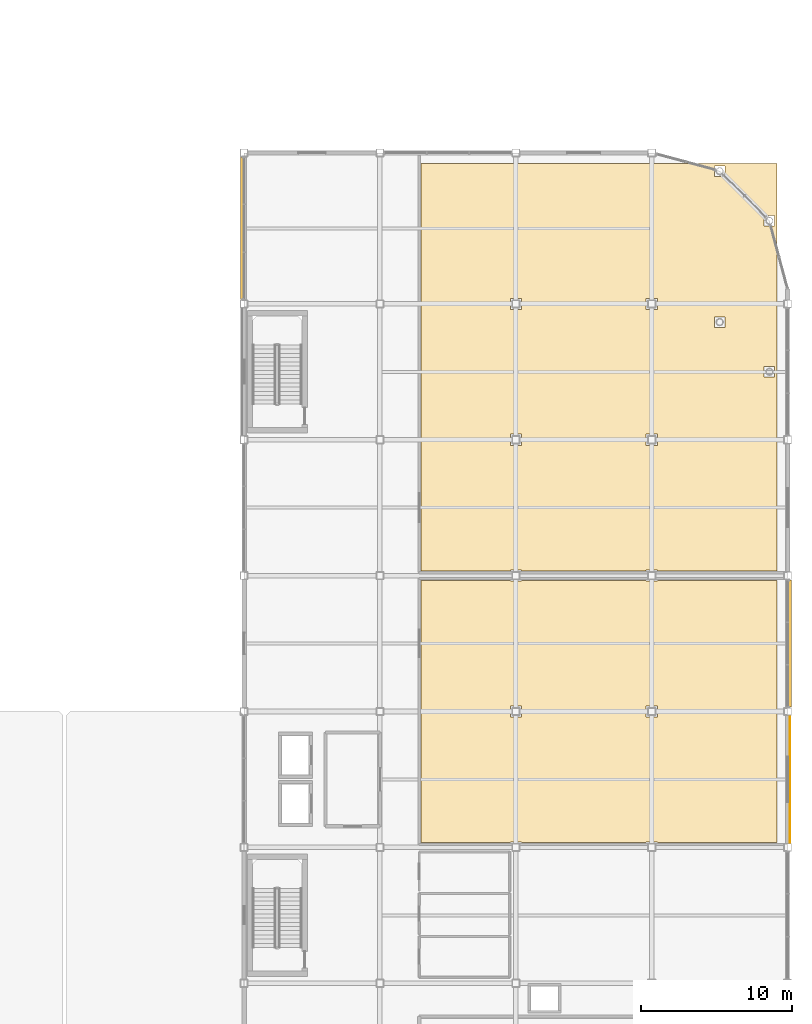
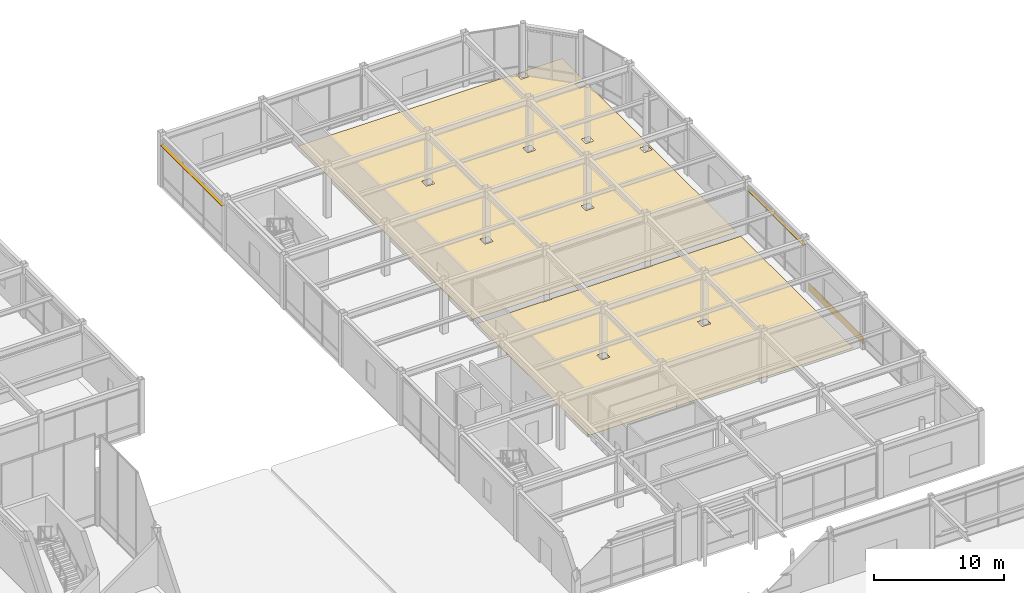
# One storey, part 122 of 123: 3 coverings, 2 shading devices.
"""IFC4 building model written with IfcOpenShell, lengths in metres."""

from ifc_helpers import new_model, si_unit, direction, frame, origin, origin_2d, place, context, subcontext, project, spatial, polyline, rectangle, outline, extrude, material, layer, layer_set, material_profile, profile_set, type_object, element, save


model = new_model("IFC4")

# Units and contexts
model_context = context("Model", 3, precision=1e-05, world=origin(), true_north=direction((0.0, 1.0)))
body_context = subcontext(model_context, "Body", "Model", "MODEL_VIEW")
ifc_project = project(units=[si_unit("LENGTHUNIT", "METRE"), si_unit("AREAUNIT", "SQUARE_METRE"), si_unit("VOLUMEUNIT", "CUBIC_METRE"), si_unit("PLANEANGLEUNIT", "RADIAN"), si_unit("MASSUNIT", "GRAM", prefix="KILO")], contexts=[model_context])

# Site, building, storey
site_placement = place(None, origin())
site = spatial("IfcSite", under=ifc_project, at=site_placement, CompositionType="ELEMENT")
building_placement = place(site_placement, origin())
building = spatial("IfcBuilding", under=site, at=building_placement, Name="Suzunagisa Mobility Hub", CompositionType="ELEMENT")
storey_placement = place(building_placement, origin())
storey = spatial("IfcBuildingStorey", under=building, at=storey_placement, Name="L00", CompositionType="ELEMENT", Elevation=0.0)

# Coverings
ifc_material_1 = material(Name="Polished Aggregate Terrazzo Finish")
ifc_layer_1 = layer(ifc_material_1, 0.02001953125)
ifc_layer_set_1 = layer_set([ifc_layer_1], Name="Polished Aggregate Terrazzo Finish")
covering_type_1 = type_object("IfcCoveringType", Name="Polished Terrazzo Heavy-Traffic Flooring FLR-01", PredefinedType="FLOORING", material=ifc_layer_set_1)
covering_1_placement = place(storey_placement, origin())
element("IfcCovering", 1, at=covering_1_placement, inside=storey, type_object=covering_type_1, Name="L00 Public Mobility Pass and Customer Service Centre Terrazzo Flooring", PredefinedType="FLOORING", context=body_context, shape_type="SweptSolid", body=[
    extrude(outline(polyline([(155.719970703125, 79.679931640625), (161.6298828125, 79.679931640625), (161.6298828125, 79.6298828125), (162.3701171875, 79.6298828125), (162.3701171875, 79.679931640625), (170.6298828125, 79.679931640625), (170.6298828125, 79.6298828125), (171.3701171875, 79.6298828125), (171.3701171875, 79.679931640625), (179.280029296875, 79.679931640625), (179.280029296875, 62.320068359375), (171.3701171875, 62.320068359375), (171.3701171875, 62.3701171875), (170.6298828125, 62.3701171875), (170.6298828125, 62.320068359375), (162.3701171875, 62.320068359375), (162.3701171875, 62.3701171875), (161.6298828125, 62.3701171875), (161.6298828125, 62.320068359375), (155.719970703125, 62.320068359375), (155.719970703125, 79.679931640625)]), holes=[polyline([(162.3701171875, 70.6298828125), (162.3701171875, 71.3701171875), (161.6298828125, 71.3701171875), (161.6298828125, 70.6298828125), (162.3701171875, 70.6298828125)]), polyline([(171.3701171875, 71.3701171875), (170.6298828125, 71.3701171875), (170.6298828125, 70.6298828125), (171.3701171875, 70.6298828125), (171.3701171875, 71.3701171875)])]), origin(), (0.0, 0.0, 1.0), 0.02001953125),
])
covering_2_placement = place(storey_placement, origin())
element("IfcCovering", 2, at=covering_2_placement, inside=storey, type_object=covering_type_1, Name="L00 Electric Bus Battery Diagnostics and Loading Bay Terrazzo Flooring", PredefinedType="FLOORING", context=body_context, shape_type="SweptSolid", body=[
    extrude(outline(polyline([(171.3701171875, 80.3701171875), (170.6298828125, 80.3701171875), (170.6298828125, 80.320068359375), (162.3701171875, 80.320068359375), (162.3701171875, 80.3701171875), (161.6298828125, 80.3701171875), (161.6298828125, 80.320068359375), (155.719970703125, 80.320068359375), (155.719970703125, 107.280029296875), (179.280029296875, 107.280029296875), (179.280029296875, 80.320068359375), (171.3701171875, 80.320068359375), (171.3701171875, 80.3701171875)]), holes=[polyline([(162.3701171875, 88.6298828125), (162.3701171875, 89.3701171875), (161.6298828125, 89.3701171875), (161.6298828125, 88.6298828125), (162.3701171875, 88.6298828125)]), polyline([(161.6298828125, 97.6298828125), (162.3701171875, 97.6298828125), (162.3701171875, 98.3701171875), (161.6298828125, 98.3701171875), (161.6298828125, 97.6298828125)]), polyline([(171.3701171875, 89.3701171875), (170.6298828125, 89.3701171875), (170.6298828125, 88.6298828125), (171.3701171875, 88.6298828125), (171.3701171875, 89.3701171875)]), polyline([(171.3701171875, 97.6298828125), (171.3701171875, 98.3701171875), (170.6298828125, 98.3701171875), (170.6298828125, 97.6298828125), (171.3701171875, 97.6298828125)]), polyline([(175.1513671875, 96.445556640625), (175.8486328125, 96.445556640625), (175.8486328125, 97.142822265625), (175.1513671875, 97.142822265625), (175.1513671875, 96.445556640625)]), polyline([(175.1513671875, 107.142822265625), (175.1513671875, 106.445556640625), (175.8486328125, 106.445556640625), (175.8486328125, 107.142822265625), (175.1513671875, 107.142822265625)]), polyline([(179.142822265625, 93.8486328125), (178.445556640625, 93.8486328125), (178.445556640625, 93.1513671875), (179.142822265625, 93.1513671875), (179.142822265625, 93.8486328125)]), polyline([(179.142822265625, 103.1513671875), (179.142822265625, 103.8486328125), (178.445556640625, 103.8486328125), (178.445556640625, 103.1513671875), (179.142822265625, 103.1513671875)])]), origin(), (0.0, 0.0, 1.0), 0.02001953125),
])
ifc_material_2 = material(Name="Vitreous Porcelain Enamel Aluminum Cladding", Category="aluminium")
ifc_layer_2 = layer(ifc_material_2, 0.034912109375)
ifc_layer_set_2 = layer_set([ifc_layer_2], Name="Vitreous Porcelain Enamel Aluminum Cladding")
covering_type_2 = type_object("IfcCoveringType", Name="Porcelain Enamel Spandrel Cladding Band CLD-01", PredefinedType="CLADDING", material=ifc_layer_set_2)
covering_3_placement = place(storey_placement, frame((180.1474609375, 66.5, 0.06005859375), z_axis=(0.0, 0.0, 1.0), x_axis=(0.0, 1.0, 0.0)))
element("IfcCovering", 3, at=covering_3_placement, inside=storey, type_object=covering_type_2, Name="L00 Porcelain Spandrel Cladding Band CLD-37", PredefinedType="CLADDING", context=body_context, shape_type="SweptSolid", body=[
    extrude(rectangle(XDim=8.39990234375, YDim=0.034912109375, at=origin_2d()), origin(), (0.0, 0.0, 1.0), 0.719970703125),
])

# Shading devices
ifc_material_3 = material(Name="Fluoropolymer-Coated Extruded Aluminum 6063-T5", Category="aluminium")
ifc_material_profile_1 = material_profile(ifc_material_3, rectangle(XDim=0.280029296875, YDim=0.044921875, at=origin_2d()), Name="FIN-280x45")
ifc_profile_set_1 = profile_set([ifc_material_profile_1], Name="Fluoropolymer-Coated Extruded Aluminum 6063-T5")
shading_device_type_1 = type_object("IfcShadingDeviceType", Name="Streamline Aluminum Sunshade SF-02 FIN-280x45", PredefinedType="JALOUSIE", material=ifc_profile_set_1)
shading_device_1_placement = place(storey_placement, frame((143.892578125, 107.717529296875, 3.989990234375), z_axis=(0.0, -1.0, 0.0), x_axis=(1.0, 0.0, 0.0)))
element("IfcShadingDevice", 4, at=shading_device_1_placement, inside=storey, type_object=shading_device_type_1, Name="L00 Streamline Speed-Rail Sunshade Fin SF-38", PredefinedType="JALOUSIE", context=body_context, shape_type="SweptSolid", body=[
    extrude(rectangle(XDim=0.280029296875, YDim=0.044921875, at=origin_2d()), origin(), (0.0, 0.0, 1.0), 9.43505859375),
])
ifc_material_profile_2 = material_profile(ifc_material_3, rectangle(XDim=0.280029296875, YDim=0.044921875, at=origin_2d()), Name="FIN-280x45")
ifc_profile_set_2 = profile_set([ifc_material_profile_2], Name="Fluoropolymer-Coated Extruded Aluminum 6063-T5")
shading_device_type_2 = type_object("IfcShadingDeviceType", Name="Streamline Aluminum Sunshade SF-03 FIN-280x45", PredefinedType="USERDEFINED", material=ifc_profile_set_2)
shading_device_2_placement = place(storey_placement, frame((180.107421875, 71.282470703125, 3.989990234375), z_axis=(0.0, 1.0, 0.0), x_axis=(-1.0, 0.0, 0.0)))
element("IfcShadingDevice", 5, at=shading_device_2_placement, inside=storey, type_object=shading_device_type_2, Name="L00 Streamline Speed-Rail Sunshade Fin SF-37", ObjectType="SUNSHADE FIN", PredefinedType="USERDEFINED", context=body_context, shape_type="SweptSolid", body=[
    extrude(rectangle(XDim=0.280029296875, YDim=0.044921875, at=origin_2d()), origin(), (0.0, 0.0, 1.0), 8.43505859375),
])

save(model, "model.ifc")
